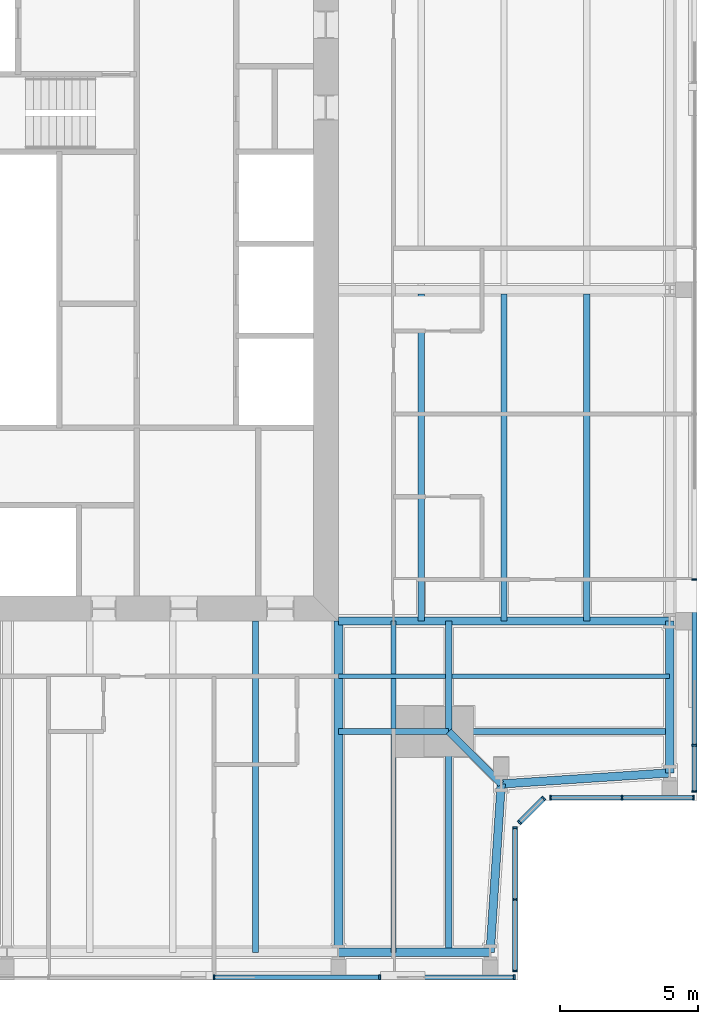
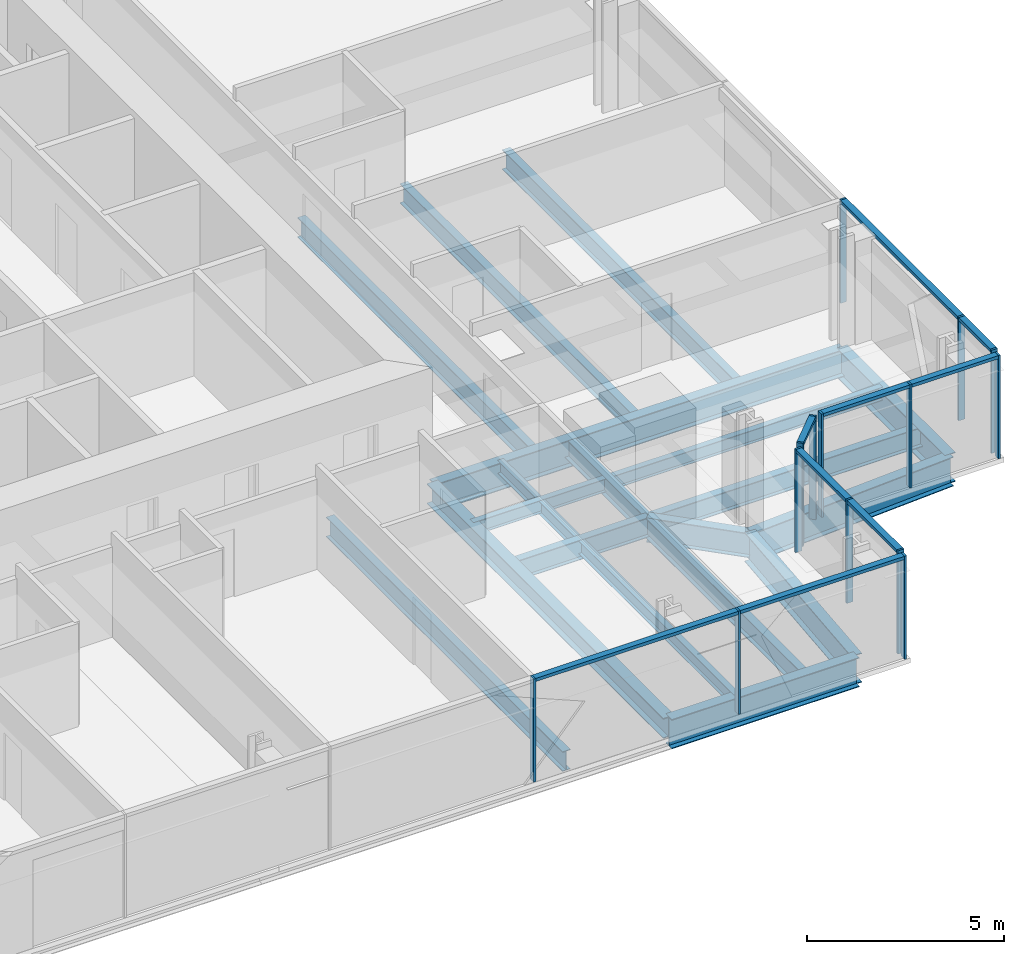
# One storey, part 5 of 18: 23 members, 20 beams, 5 elements without a shape of their own.
"""IFC4 building model written with IfcOpenShell, lengths in metres."""

from ifc_helpers import new_model, si_unit, direction, frame, origin, origin_2d, place, context, subcontext, project, spatial, rectangle, i_section, extrude, material, material_profile, profile_set, type_object, element, aggregate, save


model = new_model("IFC4")

# Units and contexts
model_context = context("Model", 3, precision=1e-05, world=origin(), true_north=direction((0.0, 1.0)))
body_context = subcontext(model_context, "Body", "Model", "MODEL_VIEW")
ifc_project = project(units=[si_unit("LENGTHUNIT", "METRE"), si_unit("AREAUNIT", "SQUARE_METRE"), si_unit("VOLUMEUNIT", "CUBIC_METRE"), si_unit("PLANEANGLEUNIT", "RADIAN"), si_unit("MASSUNIT", "GRAM", prefix="KILO")], contexts=[model_context])

# Site, building, storey
site_placement = place(None, origin())
site = spatial("IfcSite", under=ifc_project, at=site_placement, CompositionType="ELEMENT")
building_placement = place(site_placement, origin())
building = spatial("IfcBuilding", under=site, at=building_placement, Name="Fenwick Lantern Interchange", CompositionType="ELEMENT")
storey_placement = place(building_placement, frame((0.0, 0.0, 293.39990234375)))
storey = spatial("IfcBuildingStorey", under=building, at=storey_placement, Name="L71", CompositionType="ELEMENT", Elevation=293.39990234375)

# Beams
ifc_material_1 = material(Name="Steel ASTM A992 Grade 50", Category="steel")
ifc_material_profile_1 = material_profile(ifc_material_1, i_section(OverallWidth=0.3046875, OverallDepth=0.911865234375, WebThickness=0.015869140625, FlangeThickness=0.02392578125, at=origin_2d()), Name="W36X150")
ifc_profile_set_1 = profile_set([ifc_material_profile_1], Name="Steel ASTM A992 Grade 50")
beam_type_1 = type_object("IfcBeamType", Name="EDGE BEAM W36X150", PredefinedType="SPANDREL", material=ifc_profile_set_1)
beam_1_placement = place(storey_placement, frame((37.0, 1.0, -0.605712890625), z_axis=(1.0, 0.0, 0.0), x_axis=(0.0, 1.0, 0.0)))
element("IfcBeam", 1, at=beam_1_placement, inside=storey, type_object=beam_type_1, Name="L71/FR/S/EB4", PredefinedType="SPANDREL", context=body_context, shape_type="SweptSolid", body=[
    extrude(i_section(OverallWidth=0.3046875, OverallDepth=0.911865234375, WebThickness=0.015869140625, FlangeThickness=0.02392578125, at=origin_2d()), origin(), (0.0, 0.0, 1.0), 5.5),
])
for number, where, z_axis, x_axis, name in (
    (2, (42.5, 1.0, -0.605712890625), (0.065416293237, 0.997858060337, 0.0), (-0.997858060337, 0.065416293237, 0.0), "L71/FR/S/EBR1"),
    (3, (42.89990234375, 7.10009765625, -0.605712890625), (0.997858060337, 0.065416293237, 0.0), (-0.065416293237, 0.997858060337, 0.0), "L71/FR/S/EBR2"),
):
    element("IfcBeam", number, at=place(storey_placement, frame(where, z_axis=z_axis, x_axis=x_axis)), inside=storey, type_object=beam_type_1, Name=name, PredefinedType="SPANDREL", context=body_context, shape_type="SweptSolid", body=[
        extrude(i_section(OverallWidth=0.3046875, OverallDepth=0.911865234375, WebThickness=0.015869140625, FlangeThickness=0.02392578125, at=origin_2d()), origin(), (0.0, 0.0, 1.0), 6.11328125),
    ])
beam_2_placement = place(storey_placement, frame((49.0, 7.5, -0.605712890625), z_axis=(0.0, 1.0, 0.0), x_axis=(-1.0, 0.0, 0.0)))
element("IfcBeam", 4, at=beam_2_placement, inside=storey, type_object=beam_type_1, Name="L71/FR/E/EB1", PredefinedType="SPANDREL", context=body_context, shape_type="SweptSolid", body=[
    extrude(i_section(OverallWidth=0.3046875, OverallDepth=0.911865234375, WebThickness=0.015869140625, FlangeThickness=0.02392578125, at=origin_2d()), origin(), (0.0, 0.0, 1.0), 5.5),
])
ifc_material_profile_2 = material_profile(ifc_material_1, i_section(OverallWidth=0.22900390625, OverallDepth=0.612060546875, WebThickness=0.011962890625, FlangeThickness=0.01953125, at=origin_2d()), Name="W24X84")
ifc_profile_set_2 = profile_set([ifc_material_profile_2], Name="Steel ASTM A992 Grade 50")
beam_type_2 = type_object("IfcBeamType", Name="FLOOR BEAM W24X84", PredefinedType="BEAM", material=ifc_profile_set_2)
beam_3_placement = place(storey_placement, frame((34.0, 1.0, -0.4560546875), z_axis=(0.0, 1.0, 0.0), x_axis=(-1.0, 0.0, 0.0)))
element("IfcBeam", 5, at=beam_3_placement, inside=storey, type_object=beam_type_2, Name="L71/FR/S/R08", PredefinedType="BEAM", context=body_context, shape_type="SweptSolid", body=[
    extrude(i_section(OverallWidth=0.22900390625, OverallDepth=0.612060546875, WebThickness=0.011962890625, FlangeThickness=0.01953125, at=origin_2d()), origin(), (0.0, 0.0, 1.0), 12.0),
])
for number, where, z_axis, x_axis, name in (
    (6, (46.0, 13.0, -0.4560546875), (0.0, 1.0, 0.0), (-1.0, 0.0, 0.0), "L71/FR/E/B01"),
    (7, (43.0, 13.0, -0.4560546875), (0.0, 1.0, 0.0), (-1.0, 0.0, 0.0), "L71/FR/E/B02"),
    (8, (40.0, 13.0, -0.4560546875), (0.0, 1.0, 0.0), (-1.0, 0.0, 0.0), "L71/FR/E/B03"),
):
    element("IfcBeam", number, at=place(storey_placement, frame(where, z_axis=z_axis, x_axis=x_axis)), inside=storey, type_object=beam_type_2, Name=name, PredefinedType="BEAM", context=body_context, shape_type="SweptSolid", body=[
        extrude(i_section(OverallWidth=0.22900390625, OverallDepth=0.612060546875, WebThickness=0.011962890625, FlangeThickness=0.01953125, at=origin_2d()), origin(), (0.0, 0.0, 1.0), 11.844970703125),
    ])

# Curtain wall, members
ifc_material_2 = material(Name="Aluminium curtain wall frame", Category="aluminium")
curtain_wall_type = type_object("IfcCurtainWallType", Name="HOTEL CURTAIN WALL", PredefinedType="USERDEFINED", material=ifc_material_2)
curtain_wall_1_placement = place(storey_placement, origin())
curtain_wall_1 = element("IfcCurtainWall", 9, at=curtain_wall_1_placement, inside=storey, type_object=curtain_wall_type, Name="Hotel curtain wall 01", ObjectType="HOTEL CURTAIN WALL", PredefinedType="USERDEFINED")
ifc_material_3 = material(Name="Aluminium extrusion", Category="aluminium")
ifc_material_profile_3 = material_profile(ifc_material_3, rectangle(XDim=0.179931640625, YDim=0.06005859375, at=origin_2d()), Name="HOTEL CURTAIN WALL MULLION 60 X 180")
ifc_profile_set_3 = profile_set([ifc_material_profile_3], Name="Aluminium extrusion")
member_type_1 = type_object("IfcMemberType", Name="HOTEL CURTAIN WALL MULLION 60 X 180", PredefinedType="MULLION", material=ifc_profile_set_3)
member_1_placement = place(storey_placement, frame((32.5, 0.10009765625, 0.0), z_axis=(0.0, 0.0, 1.0), x_axis=(0.0, 1.0, 0.0)))
member_1 = element("IfcMember", 10, at=member_1_placement, type_object=member_type_1, Name="L71/CW/01/M05", PredefinedType="MULLION", context=body_context, shape_type="SweptSolid", body=[
    extrude(rectangle(XDim=0.179931640625, YDim=0.06005859375, at=origin_2d()), origin(), (0.0, 0.0, 1.0), 3.2001953125),
])
member_2_placement = place(storey_placement, frame((38.5, 0.10009765625, 0.0), z_axis=(0.0, 0.0, 1.0), x_axis=(0.0, 1.0, 0.0)))
member_2 = element("IfcMember", 11, at=member_2_placement, type_object=member_type_1, Name="L71/CW/01/M06", PredefinedType="MULLION", context=body_context, shape_type="SweptSolid", body=[
    extrude(rectangle(XDim=0.179931640625, YDim=0.06005859375, at=origin_2d()), origin(), (0.0, 0.0, 1.0), 3.2001953125),
])
member_3_placement = place(storey_placement, frame((43.3701171875, 0.10009765625, 0.0), z_axis=(0.0, 0.0, 1.0), x_axis=(0.0, 1.0, 0.0)))
member_3 = element("IfcMember", 12, at=member_3_placement, type_object=member_type_1, Name="L71/CW/01/M07", PredefinedType="MULLION", context=body_context, shape_type="SweptSolid", body=[
    extrude(rectangle(XDim=0.179931640625, YDim=0.06005859375, at=origin_2d()), origin(), (0.0, 0.0, 1.0), 3.2001953125),
])

curtain_wall_2_placement = place(storey_placement, origin())
curtain_wall_2 = element("IfcCurtainWall", 13, at=curtain_wall_2_placement, inside=storey, type_object=curtain_wall_type, Name="Hotel curtain wall 02", ObjectType="HOTEL CURTAIN WALL", PredefinedType="USERDEFINED")
member_4_placement = place(storey_placement, frame((43.39990234375, 0.330078125, 0.0), z_axis=(0.0, 0.0, 1.0), x_axis=(-1.0, 0.0, 0.0)))
member_4 = element("IfcMember", 14, at=member_4_placement, type_object=member_type_1, Name="L71/CW/02/M00", PredefinedType="MULLION", context=body_context, shape_type="SweptSolid", body=[
    extrude(rectangle(XDim=0.179931640625, YDim=0.06005859375, at=origin_2d()), origin(), (0.0, 0.0, 1.0), 3.2001953125),
])
member_5_placement = place(storey_placement, frame((43.39990234375, 2.920654296875, 0.0), z_axis=(0.0, 0.0, 1.0), x_axis=(-1.0, 0.0, 0.0)))
member_5 = element("IfcMember", 15, at=member_5_placement, type_object=member_type_1, Name="L71/CW/02/M01", PredefinedType="MULLION", context=body_context, shape_type="SweptSolid", body=[
    extrude(rectangle(XDim=0.179931640625, YDim=0.06005859375, at=origin_2d()), origin(), (0.0, 0.0, 1.0), 3.2001953125),
])
member_6_placement = place(storey_placement, frame((43.39990234375, 5.511474609375, 0.0), z_axis=(0.0, 0.0, 1.0), x_axis=(-1.0, 0.0, 0.0)))
member_6 = element("IfcMember", 16, at=member_6_placement, type_object=member_type_1, Name="L71/CW/02/M02", PredefinedType="MULLION", context=body_context, shape_type="SweptSolid", body=[
    extrude(rectangle(XDim=0.179931640625, YDim=0.06005859375, at=origin_2d()), origin(), (0.0, 0.0, 1.0), 3.2001953125),
])

curtain_wall_3_placement = place(storey_placement, origin())
curtain_wall_3 = element("IfcCurtainWall", 17, at=curtain_wall_3_placement, inside=storey, type_object=curtain_wall_type, Name="Hotel curtain wall 03", ObjectType="HOTEL CURTAIN WALL", PredefinedType="USERDEFINED")
member_7_placement = place(storey_placement, frame((43.562744140625, 5.7041015625, 0.0), z_axis=(0.0, 0.0, 1.0), x_axis=(-0.707106781187, 0.707106781187, 0.0)))
member_7 = element("IfcMember", 18, at=member_7_placement, type_object=member_type_1, Name="L71/CW/03/M00", PredefinedType="MULLION", context=body_context, shape_type="SweptSolid", body=[
    extrude(rectangle(XDim=0.179931640625, YDim=0.06005859375, at=origin_2d()), origin(), (0.0, 0.0, 1.0), 3.2001953125),
])
member_8_placement = place(storey_placement, frame((44.437255859375, 6.578857421875, 0.0), z_axis=(0.0, 0.0, 1.0), x_axis=(-0.707106781187, 0.707106781187, 0.0)))
member_8 = element("IfcMember", 19, at=member_8_placement, type_object=member_type_1, Name="L71/CW/03/M01", PredefinedType="MULLION", context=body_context, shape_type="SweptSolid", body=[
    extrude(rectangle(XDim=0.179931640625, YDim=0.06005859375, at=origin_2d()), origin(), (0.0, 0.0, 1.0), 3.2001953125),
])

curtain_wall_4_placement = place(storey_placement, origin())
curtain_wall_4 = element("IfcCurtainWall", 20, at=curtain_wall_4_placement, inside=storey, type_object=curtain_wall_type, Name="Hotel curtain wall 04", ObjectType="HOTEL CURTAIN WALL", PredefinedType="USERDEFINED")
member_9_placement = place(storey_placement, frame((44.6884765625, 6.60009765625, 0.0), z_axis=(0.0, 0.0, 1.0), x_axis=(0.0, 1.0, 0.0)))
member_9 = element("IfcMember", 21, at=member_9_placement, type_object=member_type_1, Name="L71/CW/04/M00", PredefinedType="MULLION", context=body_context, shape_type="SweptSolid", body=[
    extrude(rectangle(XDim=0.179931640625, YDim=0.06005859375, at=origin_2d()), origin(), (0.0, 0.0, 1.0), 3.2001953125),
])
member_10_placement = place(storey_placement, frame((47.279296875, 6.60009765625, 0.0), z_axis=(0.0, 0.0, 1.0), x_axis=(0.0, 1.0, 0.0)))
member_10 = element("IfcMember", 22, at=member_10_placement, type_object=member_type_1, Name="L71/CW/04/M01", PredefinedType="MULLION", context=body_context, shape_type="SweptSolid", body=[
    extrude(rectangle(XDim=0.179931640625, YDim=0.06005859375, at=origin_2d()), origin(), (0.0, 0.0, 1.0), 3.2001953125),
])
member_11_placement = place(storey_placement, frame((49.8701171875, 6.60009765625, 0.0), z_axis=(0.0, 0.0, 1.0), x_axis=(0.0, 1.0, 0.0)))
member_11 = element("IfcMember", 23, at=member_11_placement, type_object=member_type_1, Name="L71/CW/04/M02", PredefinedType="MULLION", context=body_context, shape_type="SweptSolid", body=[
    extrude(rectangle(XDim=0.179931640625, YDim=0.06005859375, at=origin_2d()), origin(), (0.0, 0.0, 1.0), 3.2001953125),
])

curtain_wall_5_placement = place(storey_placement, origin())
curtain_wall_5 = element("IfcCurtainWall", 24, at=curtain_wall_5_placement, inside=storey, type_object=curtain_wall_type, Name="Hotel curtain wall 05", ObjectType="HOTEL CURTAIN WALL", PredefinedType="USERDEFINED")
member_12_placement = place(storey_placement, frame((49.89990234375, 6.830078125, 0.0), z_axis=(0.0, 0.0, 1.0), x_axis=(-1.0, 0.0, 0.0)))
member_12 = element("IfcMember", 25, at=member_12_placement, type_object=member_type_1, Name="L71/CW/05/M00", PredefinedType="MULLION", context=body_context, shape_type="SweptSolid", body=[
    extrude(rectangle(XDim=0.179931640625, YDim=0.06005859375, at=origin_2d()), origin(), (0.0, 0.0, 1.0), 3.2001953125),
])
member_13_placement = place(storey_placement, frame((49.89990234375, 8.5, 0.0), z_axis=(0.0, 0.0, 1.0), x_axis=(-1.0, 0.0, 0.0)))
member_13 = element("IfcMember", 26, at=member_13_placement, type_object=member_type_1, Name="L71/CW/05/M01", PredefinedType="MULLION", context=body_context, shape_type="SweptSolid", body=[
    extrude(rectangle(XDim=0.179931640625, YDim=0.06005859375, at=origin_2d()), origin(), (0.0, 0.0, 1.0), 3.2001953125),
])
member_14_placement = place(storey_placement, frame((49.89990234375, 14.5, 0.0), z_axis=(0.0, 0.0, 1.0), x_axis=(-1.0, 0.0, 0.0)))
member_14 = element("IfcMember", 27, at=member_14_placement, type_object=member_type_1, Name="L71/CW/05/M02", PredefinedType="MULLION", context=body_context, shape_type="SweptSolid", body=[
    extrude(rectangle(XDim=0.179931640625, YDim=0.06005859375, at=origin_2d()), origin(), (0.0, 0.0, 1.0), 3.2001953125),
])

# Member
ifc_material_profile_4 = material_profile(ifc_material_3, rectangle(XDim=0.179931640625, YDim=0.10009765625, at=origin_2d()), Name="HOTEL CURTAIN WALL TRANSOM 100 X 180")
ifc_profile_set_4 = profile_set([ifc_material_profile_4], Name="Aluminium extrusion")
member_type_2 = type_object("IfcMemberType", Name="HOTEL CURTAIN WALL TRANSOM 100 X 180", PredefinedType="MULLION", material=ifc_profile_set_4)
member_15_placement = place(storey_placement, frame((32.530029296875, 0.10009765625, 3.150146484375), z_axis=(1.0, 0.0, 0.0), x_axis=(0.0, 1.0, 0.0)))
member_15 = element("IfcMember", 28, at=member_15_placement, type_object=member_type_2, Name="L71/CW/01/T05", PredefinedType="MULLION", context=body_context, shape_type="SweptSolid", body=[
    extrude(rectangle(XDim=0.179931640625, YDim=0.10009765625, at=origin_2d()), origin(), (0.0, 0.0, 1.0), 5.93994140625),
])

member_16_placement = place(storey_placement, frame((38.530029296875, 0.10009765625, 3.150146484375), z_axis=(1.0, 0.0, 0.0), x_axis=(0.0, 1.0, 0.0)))
member_16 = element("IfcMember", 29, at=member_16_placement, type_object=member_type_2, Name="L71/CW/01/T06", PredefinedType="MULLION", context=body_context, shape_type="SweptSolid", body=[
    extrude(rectangle(XDim=0.179931640625, YDim=0.10009765625, at=origin_2d()), origin(), (0.0, 0.0, 1.0), 4.81005859375),
])

aggregate(curtain_wall_1, [member_1, member_2, member_3, member_15, member_16])

member_17_placement = place(storey_placement, frame((43.39990234375, 0.360107421875, 3.150146484375), z_axis=(0.0, 1.0, 0.0), x_axis=(-1.0, 0.0, 0.0)))
member_17 = element("IfcMember", 30, at=member_17_placement, type_object=member_type_2, Name="L71/CW/02/T00", PredefinedType="MULLION", context=body_context, shape_type="SweptSolid", body=[
    extrude(rectangle(XDim=0.179931640625, YDim=0.10009765625, at=origin_2d()), origin(), (0.0, 0.0, 1.0), 2.530517578125),
])

member_18_placement = place(storey_placement, frame((43.39990234375, 2.95068359375, 3.150146484375), z_axis=(0.0, 1.0, 0.0), x_axis=(-1.0, 0.0, 0.0)))
member_18 = element("IfcMember", 31, at=member_18_placement, type_object=member_type_2, Name="L71/CW/02/T01", PredefinedType="MULLION", context=body_context, shape_type="SweptSolid", body=[
    extrude(rectangle(XDim=0.179931640625, YDim=0.10009765625, at=origin_2d()), origin(), (0.0, 0.0, 1.0), 2.53076171875),
])

aggregate(curtain_wall_2, [member_4, member_5, member_6, member_17, member_18])

member_19_placement = place(storey_placement, frame((43.583740234375, 5.725341796875, 3.150146484375), z_axis=(0.707210470133, 0.707003077033, 0.0), x_axis=(-0.707003077033, 0.707210470133, 0.0)))
member_19 = element("IfcMember", 32, at=member_19_placement, type_object=member_type_2, Name="L71/CW/03/T00", PredefinedType="MULLION", context=body_context, shape_type="SweptSolid", body=[
    extrude(rectangle(XDim=0.179931640625, YDim=0.10009765625, at=origin_2d()), origin(), (0.0, 0.0, 1.0), 1.17724609375),
])

aggregate(curtain_wall_3, [member_7, member_8, member_19])

member_20_placement = place(storey_placement, frame((44.718505859375, 6.60009765625, 3.150146484375), z_axis=(1.0, 0.0, 0.0), x_axis=(0.0, 1.0, 0.0)))
member_20 = element("IfcMember", 33, at=member_20_placement, type_object=member_type_2, Name="L71/CW/04/T00", PredefinedType="MULLION", context=body_context, shape_type="SweptSolid", body=[
    extrude(rectangle(XDim=0.179931640625, YDim=0.10009765625, at=origin_2d()), origin(), (0.0, 0.0, 1.0), 2.53076171875),
])

member_21_placement = place(storey_placement, frame((47.309326171875, 6.60009765625, 3.150146484375), z_axis=(1.0, 0.0, 0.0), x_axis=(0.0, 1.0, 0.0)))
member_21 = element("IfcMember", 34, at=member_21_placement, type_object=member_type_2, Name="L71/CW/04/T01", PredefinedType="MULLION", context=body_context, shape_type="SweptSolid", body=[
    extrude(rectangle(XDim=0.179931640625, YDim=0.10009765625, at=origin_2d()), origin(), (0.0, 0.0, 1.0), 2.53076171875),
])

aggregate(curtain_wall_4, [member_9, member_10, member_11, member_20, member_21])

member_22_placement = place(storey_placement, frame((49.89990234375, 6.860107421875, 3.150146484375), z_axis=(0.0, 1.0, 0.0), x_axis=(-1.0, 0.0, 0.0)))
member_22 = element("IfcMember", 35, at=member_22_placement, type_object=member_type_2, Name="L71/CW/05/T00", PredefinedType="MULLION", context=body_context, shape_type="SweptSolid", body=[
    extrude(rectangle(XDim=0.179931640625, YDim=0.10009765625, at=origin_2d()), origin(), (0.0, 0.0, 1.0), 1.60986328125),
])

member_23_placement = place(storey_placement, frame((49.89990234375, 8.530029296875, 3.150146484375), z_axis=(0.0, 1.0, 0.0), x_axis=(-1.0, 0.0, 0.0)))
member_23 = element("IfcMember", 36, at=member_23_placement, type_object=member_type_2, Name="L71/CW/05/T01", PredefinedType="MULLION", context=body_context, shape_type="SweptSolid", body=[
    extrude(rectangle(XDim=0.179931640625, YDim=0.10009765625, at=origin_2d()), origin(), (0.0, 0.0, 1.0), 5.93994140625),
])

aggregate(curtain_wall_5, [member_12, member_13, member_14, member_22, member_23])

# Beams
ifc_material_profile_5 = material_profile(ifc_material_1, i_section(OverallWidth=0.177734375, OverallDepth=0.406494140625, WebThickness=0.0078125, FlangeThickness=0.012939453125, at=origin_2d()), Name="W16X40")
ifc_profile_set_5 = profile_set([ifc_material_profile_5], Name="Steel ASTM A992 Grade 50")
beam_type_3 = type_object("IfcBeamType", Name="INFILL BEAM W16X40", PredefinedType="JOIST", material=ifc_profile_set_5)
beam_4_placement = place(storey_placement, frame((49.0, 11.0, -0.35302734375), z_axis=(-1.0, 0.0, 0.0), x_axis=(0.0, -1.0, 0.0)))
element("IfcBeam", 37, at=beam_4_placement, inside=storey, type_object=beam_type_3, Name="L71/FR/E/J1", PredefinedType="JOIST", context=body_context, shape_type="SweptSolid", body=[
    extrude(i_section(OverallWidth=0.177734375, OverallDepth=0.406494140625, WebThickness=0.0078125, FlangeThickness=0.012939453125, at=origin_2d()), origin(), (0.0, 0.0, 1.0), 7.885498046875),
])
beam_5_placement = place(storey_placement, frame((40.885498046875, 11.0, -0.35302734375), z_axis=(-1.0, 0.0, 0.0), x_axis=(0.0, -1.0, 0.0)))
element("IfcBeam", 38, at=beam_5_placement, inside=storey, type_object=beam_type_3, Name="L71/FR/E/J2", PredefinedType="JOIST", context=body_context, shape_type="SweptSolid", body=[
    extrude(i_section(OverallWidth=0.177734375, OverallDepth=0.406494140625, WebThickness=0.0078125, FlangeThickness=0.012939453125, at=origin_2d()), origin(), (0.0, 0.0, 1.0), 3.885498046875),
])
beam_6_placement = place(storey_placement, frame((39.0, 1.0, -0.35302734375), z_axis=(0.0, 1.0, 0.0), x_axis=(-1.0, 0.0, 0.0)))
element("IfcBeam", 39, at=beam_6_placement, inside=storey, type_object=beam_type_3, Name="L71/FR/E/J3", PredefinedType="JOIST", context=body_context, shape_type="SweptSolid", body=[
    extrude(i_section(OverallWidth=0.177734375, OverallDepth=0.406494140625, WebThickness=0.0078125, FlangeThickness=0.012939453125, at=origin_2d()), origin(), (0.0, 0.0, 1.0), 7.885498046875),
])
beam_7_placement = place(storey_placement, frame((39.0, 9.114501953125, -0.35302734375), z_axis=(0.0, 1.0, 0.0), x_axis=(-1.0, 0.0, 0.0)))
element("IfcBeam", 40, at=beam_7_placement, inside=storey, type_object=beam_type_3, Name="L71/FR/E/J4", PredefinedType="JOIST", context=body_context, shape_type="SweptSolid", body=[
    extrude(i_section(OverallWidth=0.177734375, OverallDepth=0.406494140625, WebThickness=0.0078125, FlangeThickness=0.012939453125, at=origin_2d()), origin(), (0.0, 0.0, 1.0), 1.796630859375),
])
beam_8_placement = place(storey_placement, frame((39.0, 11.0888671875, -0.35302734375), z_axis=(0.0, 1.0, 0.0), x_axis=(-1.0, 0.0, 0.0)))
element("IfcBeam", 41, at=beam_8_placement, inside=storey, type_object=beam_type_3, Name="L71/FR/E/J5", PredefinedType="JOIST", context=body_context, shape_type="SweptSolid", body=[
    extrude(i_section(OverallWidth=0.177734375, OverallDepth=0.406494140625, WebThickness=0.0078125, FlangeThickness=0.012939453125, at=origin_2d()), origin(), (0.0, 0.0, 1.0), 1.9111328125),
])
ifc_material_profile_6 = material_profile(ifc_material_1, i_section(OverallWidth=0.22900390625, OverallDepth=0.612060546875, WebThickness=0.011962890625, FlangeThickness=0.01953125, at=origin_2d()), Name="W24X84")
ifc_profile_set_6 = profile_set([ifc_material_profile_6], Name="Steel ASTM A992 Grade 50")
beam_type_4 = type_object("IfcBeamType", Name="MEGA COLUMN BEAM W24X84", PredefinedType="BEAM", material=ifc_profile_set_6)
for number, where, z_axis, x_axis, name in (
    (42, (41.0, 9.0, -0.4560546875), (1.0, 0.0, 0.0), (0.0, 1.0, 0.0), "L71/FR/E/MB1"),
    (43, (41.0, 9.0, -0.4560546875), (0.0, -1.0, 0.0), (1.0, 0.0, 0.0), "L71/FR/E/MB2"),
):
    element("IfcBeam", number, at=place(storey_placement, frame(where, z_axis=z_axis, x_axis=x_axis)), inside=storey, type_object=beam_type_4, Name=name, PredefinedType="BEAM", context=body_context, shape_type="SweptSolid", body=[
        extrude(i_section(OverallWidth=0.22900390625, OverallDepth=0.612060546875, WebThickness=0.011962890625, FlangeThickness=0.01953125, at=origin_2d()), origin(), (0.0, 0.0, 1.0), 8.0),
    ])
for number, where, z_axis, x_axis, name in (
    (44, (41.0, 9.0, -0.4560546875), (0.0, 1.0, 0.0), (-1.0, 0.0, 0.0), "L71/FR/E/MB3"),
    (45, (41.0, 9.0, -0.4560546875), (-1.0, 0.0, 0.0), (0.0, -1.0, 0.0), "L71/FR/E/MB4"),
):
    element("IfcBeam", number, at=place(storey_placement, frame(where, z_axis=z_axis, x_axis=x_axis)), inside=storey, type_object=beam_type_4, Name=name, PredefinedType="BEAM", context=body_context, shape_type="SweptSolid", body=[
        extrude(i_section(OverallWidth=0.22900390625, OverallDepth=0.612060546875, WebThickness=0.011962890625, FlangeThickness=0.01953125, at=origin_2d()), origin(), (0.0, 0.0, 1.0), 4.0),
    ])
ifc_material_profile_7 = material_profile(ifc_material_1, i_section(OverallWidth=0.32763671875, OverallDepth=0.622314453125, WebThickness=0.015380859375, FlangeThickness=0.0244140625, at=origin_2d()), Name="W24X131")
ifc_profile_set_7 = profile_set([ifc_material_profile_7], Name="Steel ASTM A992 Grade 50")
beam_type_5 = type_object("IfcBeamType", Name="MOMENT-CONNECTED GIRDER W24X131", PredefinedType="BEAM", material=ifc_profile_set_7)
beam_9_placement = place(storey_placement, frame((37.0, 1.0, -0.4609375), z_axis=(0.0, 1.0, 0.0), x_axis=(-1.0, 0.0, 0.0)))
element("IfcBeam", 46, at=beam_9_placement, inside=storey, type_object=beam_type_5, Name="L71/FR/S/R09", PredefinedType="BEAM", context=body_context, shape_type="SweptSolid", body=[
    extrude(i_section(OverallWidth=0.32763671875, OverallDepth=0.622314453125, WebThickness=0.015380859375, FlangeThickness=0.0244140625, at=origin_2d()), origin(), (0.0, 0.0, 1.0), 12.0),
])
ifc_material_profile_8 = material_profile(ifc_material_1, i_section(OverallWidth=0.2919921875, OverallDepth=0.845703125, WebThickness=0.015380859375, FlangeThickness=0.0244140625, at=origin_2d()), Name="W33X141")
ifc_profile_set_8 = profile_set([ifc_material_profile_8], Name="Steel ASTM A992 Grade 50")
beam_type_6 = type_object("IfcBeamType", Name="MOMENT-CONNECTED GIRDER W33X141", PredefinedType="BEAM", material=ifc_profile_set_8)
beam_10_placement = place(storey_placement, frame((49.0, 13.0, -0.57275390625), z_axis=(-1.0, 0.0, 0.0), x_axis=(0.0, -1.0, 0.0)))
element("IfcBeam", 47, at=beam_10_placement, inside=storey, type_object=beam_type_6, Name="L71/FR/E/R01", PredefinedType="BEAM", context=body_context, shape_type="SweptSolid", body=[
    extrude(i_section(OverallWidth=0.2919921875, OverallDepth=0.845703125, WebThickness=0.015380859375, FlangeThickness=0.0244140625, at=origin_2d()), origin(), (0.0, 0.0, 1.0), 12.0),
])
ifc_material_profile_9 = material_profile(ifc_material_1, i_section(OverallWidth=0.2666015625, OverallDepth=0.7568359375, WebThickness=0.013916015625, FlangeThickness=0.019287109375, at=origin_2d()), Name="W30X108")
ifc_profile_set_9 = profile_set([ifc_material_profile_9], Name="Steel ASTM A992 Grade 50")
beam_type_7 = type_object("IfcBeamType", Name="NOTCH BEAM W30X108", PredefinedType="BEAM", material=ifc_profile_set_9)
beam_11_placement = place(storey_placement, frame((41.0, 9.0, -0.5283203125), z_axis=(0.707106781187, -0.707106781187, 0.0), x_axis=(0.707106781187, 0.707106781187, 0.0)))
element("IfcBeam", 48, at=beam_11_placement, inside=storey, type_object=beam_type_7, Name="L71/FR/E/TG", PredefinedType="BEAM", context=body_context, shape_type="SweptSolid", body=[
    extrude(i_section(OverallWidth=0.2666015625, OverallDepth=0.7568359375, WebThickness=0.013916015625, FlangeThickness=0.019287109375, at=origin_2d()), origin(), (0.0, 0.0, 1.0), 2.686767578125),
])

save(model, "model.ifc")
